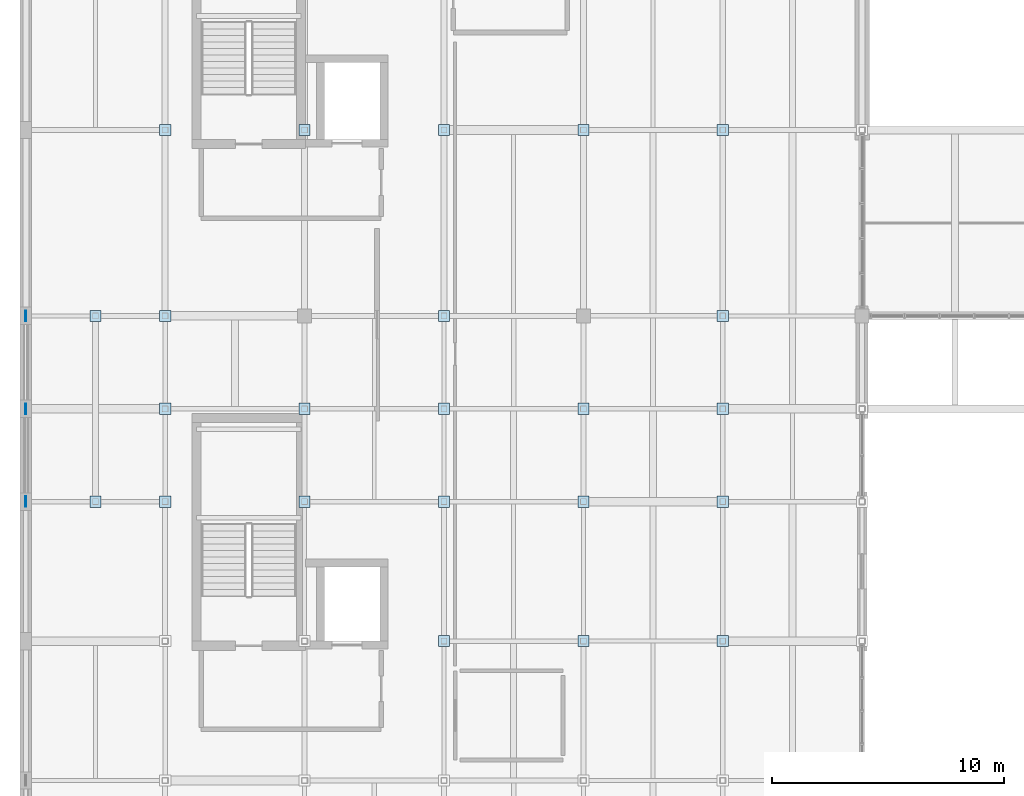
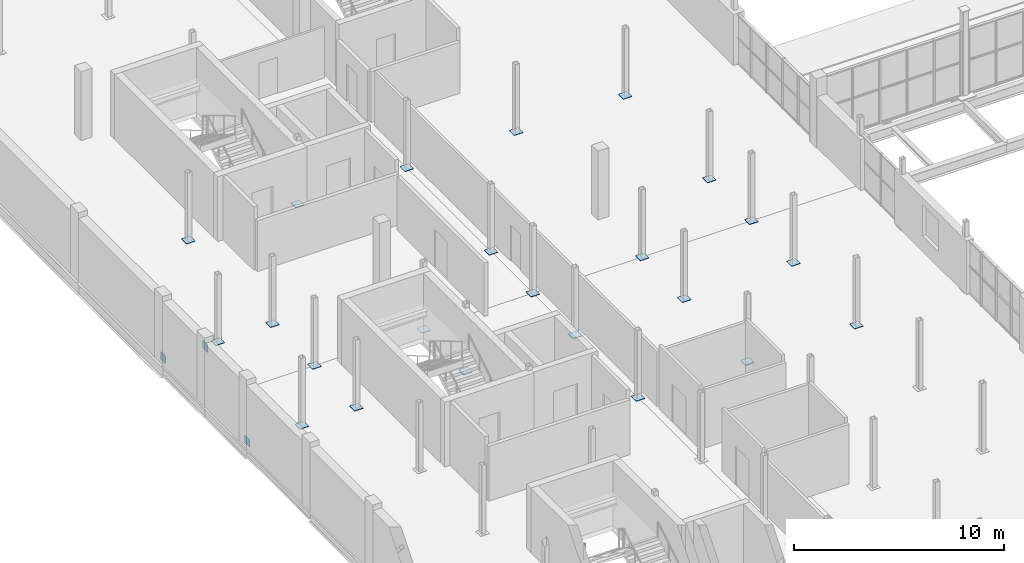
# One storey, part 83 of 96: 26 plates.
"""IFC4 building model written with IfcOpenShell, lengths in metres."""

from ifc_helpers import new_model, si_unit, direction, frame, origin, origin_2d, place, context, subcontext, project, spatial, rectangle, extrude, material, layer, layer_set, type_object, element, save


model = new_model("IFC4")

# Units and contexts
model_context = context("Model", 3, precision=1e-05, world=origin(), true_north=direction((0.0, 1.0)))
body_context = subcontext(model_context, "Body", "Model", "MODEL_VIEW")
ifc_project = project(units=[si_unit("LENGTHUNIT", "METRE"), si_unit("AREAUNIT", "SQUARE_METRE"), si_unit("VOLUMEUNIT", "CUBIC_METRE"), si_unit("PLANEANGLEUNIT", "RADIAN"), si_unit("MASSUNIT", "GRAM", prefix="KILO")], contexts=[model_context])

# Site, building, storey
site_placement = place(None, origin())
site = spatial("IfcSite", under=ifc_project, at=site_placement, CompositionType="ELEMENT")
building_placement = place(site_placement, origin())
building = spatial("IfcBuilding", under=site, at=building_placement, Name="Verrall Gate Interchange", CompositionType="ELEMENT")
storey_placement = place(building_placement, frame((0.0, 0.0, 11.39990234375)))
storey = spatial("IfcBuildingStorey", under=building, at=storey_placement, Name="L03", CompositionType="ELEMENT", Elevation=11.39990234375)

# Plates
ifc_material_1 = material(Name="Structural Steel CSA G40.21 350WT Cat 4", Category="steel")
ifc_layer_1 = layer(ifc_material_1, 0.0400390625)
ifc_layer_set_1 = layer_set([ifc_layer_1], Name="Structural Steel CSA G40.21 350WT Cat 4")
plate_type_1 = type_object("IfcPlateType", Name="BP-01 Base Plate 40", PredefinedType="USERDEFINED", material=ifc_layer_set_1)
for number, where, z_axis, x_axis, name in (
    (1, (3.0, 40.0, -0.02001953125), (0.0, 0.0, 1.0), (1.0, 0.0, 0.0), "L03 Hollow Column Transition Cap Plate 0118"),
    (2, (3.0, 48.0, -0.02001953125), (0.0, 0.0, 1.0), (1.0, 0.0, 0.0), "L03 Hollow Column Transition Cap Plate 0125"),
    (3, (6.0, 40.0, -0.02001953125), (0.0, 0.0, 1.0), (1.0, 0.0, 0.0), "L03 Hollow Column Transition Cap Plate 0193"),
    (4, (6.0, 44.0, -0.02001953125), (0.0, 0.0, 1.0), (1.0, 0.0, 0.0), "L03 Hollow Column Transition Cap Plate 0202"),
    (5, (6.0, 48.0, -0.02001953125), (0.0, 0.0, 1.0), (1.0, 0.0, 0.0), "L03 Hollow Column Transition Cap Plate 0211"),
    (6, (6.0, 56.0, -0.02001953125), (0.0, 0.0, 1.0), (1.0, 0.0, 0.0), "L03 Hollow Column Transition Cap Plate 0219"),
    (7, (12.0, 40.0, -0.02001953125), (0.0, 0.0, 1.0), (1.0, 0.0, 0.0), "L03 Hollow Column Transition Cap Plate 0310"),
    (8, (12.0, 44.0, -0.02001953125), (0.0, 0.0, 1.0), (1.0, 0.0, 0.0), "L03 Hollow Column Transition Cap Plate 0319"),
    (9, (12.0, 56.0, -0.02001953125), (0.0, 0.0, 1.0), (1.0, 0.0, 0.0), "L03 Hollow Column Transition Cap Plate 0336"),
    (10, (18.0, 34.0, -0.02001953125), (0.0, 0.0, 1.0), (1.0, 0.0, 0.0), "L03 Hollow Column Transition Cap Plate 0418"),
    (11, (18.0, 40.0, -0.02001953125), (0.0, 0.0, 1.0), (1.0, 0.0, 0.0), "L03 Hollow Column Transition Cap Plate 0427"),
    (12, (18.0, 44.0, -0.02001953125), (0.0, 0.0, 1.0), (1.0, 0.0, 0.0), "L03 Hollow Column Transition Cap Plate 0436"),
    (13, (18.0, 48.0, -0.02001953125), (0.0, 0.0, 1.0), (1.0, 0.0, 0.0), "L03 Hollow Column Transition Cap Plate 0445"),
    (14, (18.0, 56.0, -0.02001953125), (0.0, 0.0, 1.0), (1.0, 0.0, 0.0), "L03 Hollow Column Transition Cap Plate 0453"),
    (15, (24.0, 34.0, -0.02001953125), (0.0, 0.0, 1.0), (1.0, 0.0, 0.0), "L03 Hollow Column Transition Cap Plate 0535"),
    (16, (24.0, 40.0, -0.02001953125), (0.0, 0.0, 1.0), (1.0, 0.0, 0.0), "L03 Hollow Column Transition Cap Plate 0544"),
    (17, (24.0, 44.0, -0.02001953125), (0.0, 0.0, 1.0), (1.0, 0.0, 0.0), "L03 Hollow Column Transition Cap Plate 0553"),
    (18, (24.0, 56.0, -0.02001953125), (0.0, 0.0, 1.0), (1.0, 0.0, 0.0), "L03 Hollow Column Transition Cap Plate 0570"),
    (19, (30.0, 34.0, -0.02001953125), (0.0, 0.0, 1.0), (1.0, 0.0, 0.0), "L03 Hollow Column Transition Cap Plate 0652"),
    (20, (30.0, 40.0, -0.02001953125), (0.0, 0.0, 1.0), (1.0, 0.0, 0.0), "L03 Hollow Column Transition Cap Plate 0661"),
    (21, (30.0, 44.0, -0.02001953125), (0.0, 0.0, 1.0), (1.0, 0.0, 0.0), "L03 Hollow Column Transition Cap Plate 0670"),
    (22, (30.0, 48.0, -0.02001953125), (0.0, 0.0, 1.0), (1.0, 0.0, 0.0), "L03 Hollow Column Transition Cap Plate 0679"),
    (23, (30.0, 56.0, -0.02001953125), (0.0, 0.0, 1.0), (1.0, 0.0, 0.0), "L03 Hollow Column Transition Cap Plate 0687"),
):
    element("IfcPlate", number, at=place(storey_placement, frame(where, z_axis=z_axis, x_axis=x_axis)), inside=storey, type_object=plate_type_1, Name=name, ObjectType="BASE_PLATE", PredefinedType="USERDEFINED", context=body_context, shape_type="SweptSolid", body=[
        extrude(rectangle(XDim=0.47998046875, YDim=0.47998046875, at=origin_2d()), origin(), (0.0, 0.0, 1.0), 0.0400390625),
    ])
ifc_material_2 = material(Name="Structural Steel CSA G40.21 350WT Cat 4", Category="steel")
ifc_layer_2 = layer(ifc_material_2, 0.030029296875)
ifc_layer_set_2 = layer_set([ifc_layer_2], Name="Structural Steel CSA G40.21 350WT Cat 4")
plate_type_2 = type_object("IfcPlateType", Name="GP-02 Gusset Plate 30", PredefinedType="SHEET", material=ifc_layer_set_2)
for number, where, z_axis, x_axis, name in (
    (24, (0.0, 40.0, -0.0849609375), (0.0, 0.0, 1.0), (1.0, 0.0, 0.0), "Chevron Brace Gusset Node CBF3-L03-BA"),
    (25, (0.0, 48.0, -0.0849609375), (0.0, 0.0, 1.0), (1.0, 0.0, 0.0), "Chevron Brace Gusset Node CBF3-L03-BB"),
    (26, (0.0, 44.0, 2.9951171875), (0.0, 0.0, 1.0), (1.0, 0.0, 0.0), "Chevron Brace Gusset Node CBF3-L03-AP"),
):
    element("IfcPlate", number, at=place(storey_placement, frame(where, z_axis=z_axis, x_axis=x_axis)), inside=storey, type_object=plate_type_2, Name=name, PredefinedType="SHEET", context=body_context, shape_type="SweptSolid", body=[
        extrude(rectangle(XDim=0.030029296875, YDim=0.449951171875, at=origin_2d()), origin(), (0.0, 0.0, 1.0), 0.449951171875),
    ])

save(model, "model.ifc")
